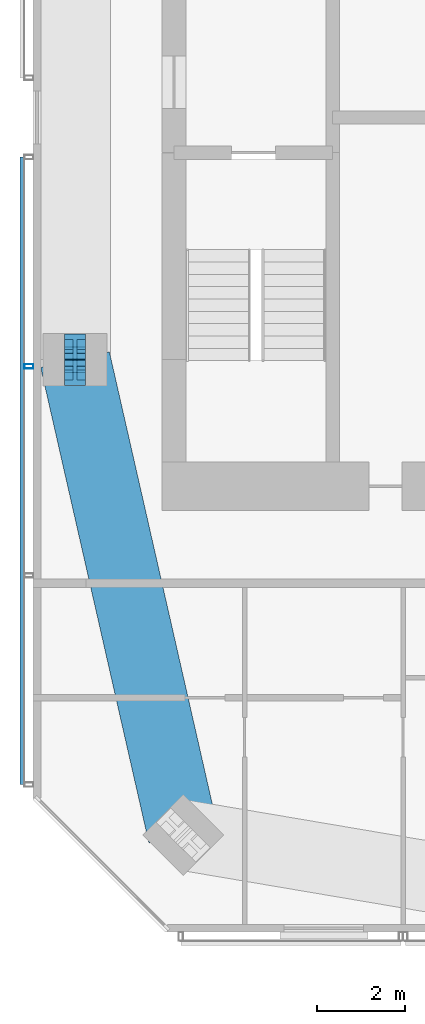
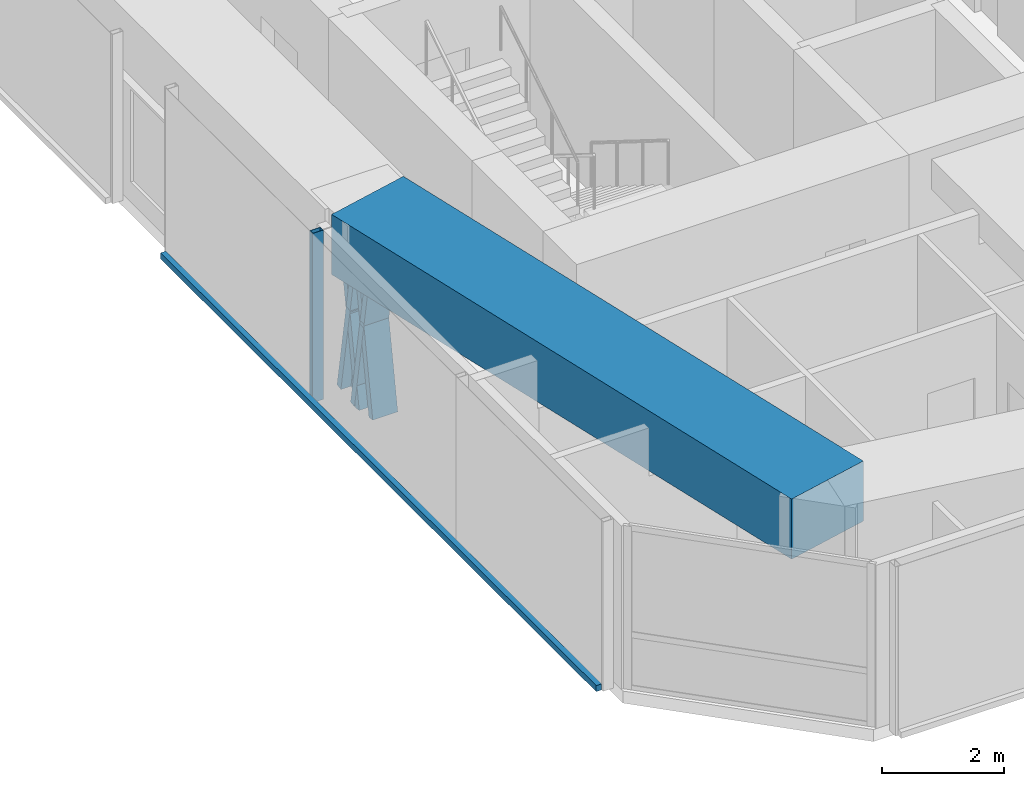
# One storey, part 3 of 18: 6 members, 1 beam, 1 element without a shape of its own.
"""IFC4 building model written with IfcOpenShell, lengths in metres."""

from ifc_helpers import new_model, si_unit, direction, frame, origin, origin_2d, place, context, subcontext, project, spatial, rectangle, hollow_rectangle, i_section, extrude, material, material_profile, profile_set, type_object, element, aggregate, save


model = new_model("IFC4")

# Units and contexts
model_context = context("Model", 3, precision=1e-05, world=origin(), true_north=direction((0.0, 1.0)))
body_context = subcontext(model_context, "Body", "Model", "MODEL_VIEW")
ifc_project = project(units=[si_unit("LENGTHUNIT", "METRE"), si_unit("AREAUNIT", "SQUARE_METRE"), si_unit("VOLUMEUNIT", "CUBIC_METRE"), si_unit("PLANEANGLEUNIT", "RADIAN"), si_unit("MASSUNIT", "GRAM", prefix="KILO")], contexts=[model_context])

# Site, building, storey
site_placement = place(None, origin())
site = spatial("IfcSite", under=ifc_project, at=site_placement, CompositionType="ELEMENT")
building_placement = place(site_placement, origin())
building = spatial("IfcBuilding", under=site, at=building_placement, Name="Jalousie Tower", CompositionType="ELEMENT")
storey_placement = place(building_placement, frame((0.0, 0.0, 256.449951171875)))
storey = spatial("IfcBuildingStorey", under=building, at=storey_placement, Name="L70", CompositionType="ELEMENT", Elevation=256.449951171875)

# Members
ifc_material_1 = material(Name="Steel ASTM A992 Grade 50", Category="steel")
ifc_material_profile_1 = material_profile(ifc_material_1, i_section(OverallWidth=0.472412109375, OverallDepth=0.5791015625, WebThickness=0.094970703125, FlangeThickness=0.1298828125, at=origin_2d()), Name="W14X808")
ifc_profile_set_1 = profile_set([ifc_material_profile_1], Name="Steel ASTM A992 Grade 50")
member_type_1 = type_object("IfcMemberType", Name="PERIMETER BRACE W14X808", PredefinedType="BRACE", material=ifc_profile_set_1)
for number, where, z_axis, x_axis, name in (
    (1, (17.75, 12.699951171875, -0.599853515625), (0.0, 0.168990530437, 0.98561767467), (-1.0, 0.0, 0.0), "Perimeter brace 14 L70 part 1"),
    (2, (17.75, 13.0, 1.150146484375), (0.0, 0.168990530437, 0.98561767467), (-1.0, 0.0, 0.0), "Perimeter brace 14 L70 part 2"),
    (3, (17.75, 13.300048828125, -0.599853515625), (0.0, -0.168990530437, 0.98561767467), (1.0, 0.0, 0.0), "Perimeter brace 14 L70 part 3"),
    (4, (17.75, 13.0, 1.150146484375), (0.0, -0.168990530437, 0.98561767467), (1.0, 0.0, 0.0), "Perimeter brace 14 L70 part 4"),
):
    element("IfcMember", number, at=place(storey_placement, frame(where, z_axis=z_axis, x_axis=x_axis)), inside=storey, type_object=member_type_1, Name=name, PredefinedType="BRACE", context=body_context, shape_type="SweptSolid", body=[
        extrude(i_section(OverallWidth=0.472412109375, OverallDepth=0.5791015625, WebThickness=0.094970703125, FlangeThickness=0.1298828125, at=origin_2d()), origin(), (0.0, 0.0, 1.0), 1.775634765625),
    ])

# Beam
ifc_material_2 = material(Name="Concrete f'c 40 MPa", Category="concrete")
ifc_material_profile_2 = material_profile(ifc_material_2, rectangle(XDim=1.60009765625, YDim=1.199951171875, at=origin_2d()), Name="RC 1600x1200")
ifc_profile_set_2 = profile_set([ifc_material_profile_2], Name="Concrete f'c 40 MPa")
beam_type = type_object("IfcBeamType", Name="RC BEAM 1600x1200", PredefinedType="BEAM", material=ifc_profile_set_2)
beam_placement = place(storey_placement, frame((17.75, 13.0, 2.900146484375), z_axis=(0.221971905818, -0.975053061647, 0.0), x_axis=(0.975053061647, 0.221971905818, 0.0)))
element("IfcBeam", 5, at=beam_placement, inside=storey, type_object=beam_type, Name="Edge band beam 14-01 under L71", PredefinedType="BEAM", context=body_context, shape_type="SweptSolid", body=[
    extrude(rectangle(XDim=1.60009765625, YDim=1.199951171875, at=origin_2d()), origin(), (0.0, 0.0, 1.0), 11.069091796875),
])

# Curtain wall, members
ifc_material_3 = material(Name="Perforated aluminium sheet", Category="aluminium")
curtain_wall_type = type_object("IfcCurtainWallType", Name="SOLAR SCREEN SS-2", PredefinedType="USERDEFINED", material=ifc_material_3)
curtain_wall_placement = place(storey_placement, origin())
curtain_wall = element("IfcCurtainWall", 6, at=curtain_wall_placement, inside=storey, type_object=curtain_wall_type, Name="Solar screen L70", ObjectType="SOLAR SCREEN SS-2", PredefinedType="USERDEFINED")
ifc_material_4 = material(Name="Steel ASTM A500 Grade C", Category="steel")
ifc_material_profile_3 = material_profile(ifc_material_4, hollow_rectangle(XDim=0.1015625, YDim=0.203125, WallThickness=0.0078125, at=origin_2d()), Name="HSS8X4X5/16")
ifc_profile_set_3 = profile_set([ifc_material_profile_3], Name="Steel ASTM A500 Grade C")
member_type_2 = type_object("IfcMemberType", Name="SOLAR SCREEN SS-2 MULLION", PredefinedType="MULLION", material=ifc_profile_set_3)
member_1_placement = place(storey_placement, frame((16.703369140625, 12.850341796875, -0.119873046875), z_axis=(0.0, 0.0, 1.0), x_axis=(0.0, -1.0, 0.0)))
member_1 = element("IfcMember", 7, at=member_1_placement, type_object=member_type_2, Name="SS2 post 2", PredefinedType="MULLION", context=body_context, shape_type="SweptSolid", body=[
    extrude(hollow_rectangle(XDim=0.1015625, YDim=0.203125, WallThickness=0.0078125, at=origin_2d()), origin(), (0.0, 0.0, 1.0), 3.3798828125),
])
ifc_material_5 = material(Name="Extruded aluminium screen rail", Category="aluminium")
ifc_material_profile_4 = material_profile(ifc_material_5, rectangle(XDim=0.1015625, YDim=0.1201171875, at=origin_2d()), Name="RAIL 102x120")
ifc_profile_set_4 = profile_set([ifc_material_profile_4], Name="Extruded aluminium screen rail")
member_type_3 = type_object("IfcMemberType", Name="SOLAR SCREEN SS-2 TRANSOM", PredefinedType="USERDEFINED", material=ifc_profile_set_4)
member_2_placement = place(storey_placement, frame((16.551025390625, 17.60009765625, -0.06005859375), z_axis=(0.0, -1.0, 0.0), x_axis=(1.0, 0.0, 0.0)))
member_2 = element("IfcMember", 8, at=member_2_placement, type_object=member_type_3, Name="SS2 rail", ObjectType="TRANSOM", PredefinedType="USERDEFINED", context=body_context, shape_type="SweptSolid", body=[
    extrude(rectangle(XDim=0.1015625, YDim=0.1201171875, at=origin_2d()), origin(), (0.0, 0.0, 1.0), 14.248779296875),
])
aggregate(curtain_wall, [member_1, member_2])

save(model, "model.ifc")
